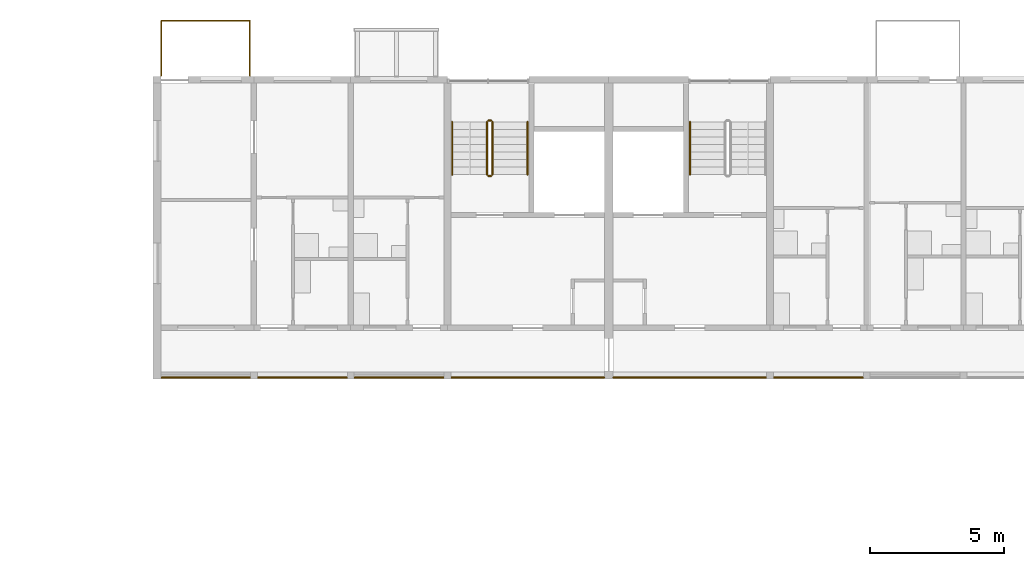
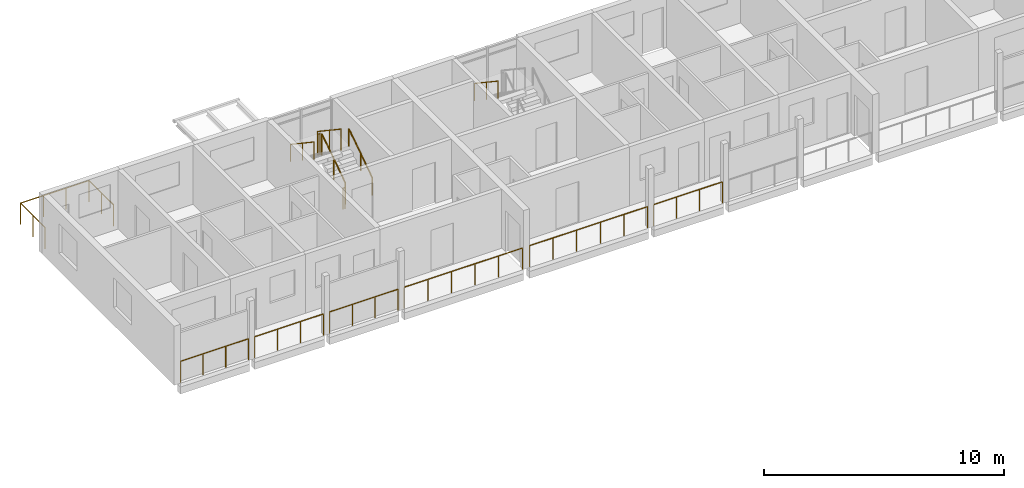
# One storey, part 98 of 115: 14 railings.
"""IFC4 building model written with IfcOpenShell, lengths in metres."""

from ifc_helpers import new_model, si_unit, direction, frame, origin, origin_2d, place, context, subcontext, project, spatial, circle, extrude, material, type_object, element, save


model = new_model("IFC4")

# Units and contexts
model_context = context("Model", 3, precision=1e-05, world=origin(), true_north=direction((0.0, 1.0)))
body_context = subcontext(model_context, "Body", "Model", "MODEL_VIEW")
ifc_project = project(units=[si_unit("LENGTHUNIT", "METRE"), si_unit("AREAUNIT", "SQUARE_METRE"), si_unit("VOLUMEUNIT", "CUBIC_METRE"), si_unit("PLANEANGLEUNIT", "RADIAN"), si_unit("MASSUNIT", "GRAM", prefix="KILO")], contexts=[model_context])

# Site, building, storey
site_placement = place(None, origin())
site = spatial("IfcSite", under=ifc_project, at=site_placement, CompositionType="ELEMENT")
building_placement = place(site_placement, origin())
building = spatial("IfcBuilding", under=site, at=building_placement, Name="Ridgestep Commons", CompositionType="ELEMENT")
storey_placement = place(building_placement, frame((0.0, 0.0, 6.0)))
storey = spatial("IfcBuildingStorey", under=building, at=storey_placement, Name="L02", CompositionType="ELEMENT", Elevation=6.0)

# Railings
ifc_material_1 = material(Name="Structural steel S355JR", Category="steel")
railing_type_1 = type_object("IfcRailingType", Name="Guard 1100", PredefinedType="GUARDRAIL", material=ifc_material_1)
railing_1_placement = place(storey_placement, frame((12.1708984375, 66.050048828125, 0.0)))
element("IfcRailing", 1, at=railing_1_placement, inside=storey, type_object=railing_type_1, Name="Gallery guard B 02.1", PredefinedType="GUARDRAIL", context=body_context, shape_type="SweptSolid", body=[
    extrude(circle(Radius=0.02392578125, at=origin_2d()), frame((0.0, 0.0, 1.076171875), z_axis=(1.0, 0.0, 0.0), x_axis=(0.0, 1.0, 0.0)), (0.0, 0.0, 1.0), 3.283203125),
    extrude(circle(Radius=0.02099609375, at=origin_2d()), origin(), (0.0, 0.0, 1.0), 1.052001953125),
    extrude(circle(Radius=0.02099609375, at=origin_2d()), frame((1.094482421875, 0.0, 0.0)), (0.0, 0.0, 1.0), 1.052001953125),
    extrude(circle(Radius=0.02099609375, at=origin_2d()), frame((2.188720703125, 0.0, 0.0)), (0.0, 0.0, 1.0), 1.052001953125),
    extrude(circle(Radius=0.02099609375, at=origin_2d()), frame((3.283203125, 0.0, 0.0)), (0.0, 0.0, 1.0), 1.052001953125),
])
railing_2_placement = place(storey_placement, frame((15.74609375, 66.050048828125, 0.0)))
element("IfcRailing", 2, at=railing_2_placement, inside=storey, type_object=railing_type_1, Name="Gallery guard B 02.2", PredefinedType="GUARDRAIL", context=body_context, shape_type="SweptSolid", body=[
    extrude(circle(Radius=0.02392578125, at=origin_2d()), frame((0.0, 0.0, 1.076171875), z_axis=(1.0, 0.0, 0.0), x_axis=(0.0, 1.0, 0.0)), (0.0, 0.0, 1.0), 3.307861328125),
    extrude(circle(Radius=0.02099609375, at=origin_2d()), origin(), (0.0, 0.0, 1.0), 1.052001953125),
    extrude(circle(Radius=0.02099609375, at=origin_2d()), frame((1.1025390625, 0.0, 0.0)), (0.0, 0.0, 1.0), 1.052001953125),
    extrude(circle(Radius=0.02099609375, at=origin_2d()), frame((2.205322265625, 0.0, 0.0)), (0.0, 0.0, 1.0), 1.052001953125),
    extrude(circle(Radius=0.02099609375, at=origin_2d()), frame((3.307861328125, 0.0, 0.0)), (0.0, 0.0, 1.0), 1.052001953125),
])
railing_3_placement = place(storey_placement, frame((19.345947265625, 66.050048828125, 0.0)))
element("IfcRailing", 3, at=railing_3_placement, inside=storey, type_object=railing_type_1, Name="Gallery guard B 02.3", PredefinedType="GUARDRAIL", context=body_context, shape_type="SweptSolid", body=[
    extrude(circle(Radius=0.02392578125, at=origin_2d()), frame((0.0, 0.0, 1.076171875), z_axis=(1.0, 0.0, 0.0), x_axis=(0.0, 1.0, 0.0)), (0.0, 0.0, 1.0), 3.30810546875),
    extrude(circle(Radius=0.02099609375, at=origin_2d()), origin(), (0.0, 0.0, 1.0), 1.052001953125),
    extrude(circle(Radius=0.02099609375, at=origin_2d()), frame((1.102783203125, 0.0, 0.0)), (0.0, 0.0, 1.0), 1.052001953125),
    extrude(circle(Radius=0.02099609375, at=origin_2d()), frame((2.205322265625, 0.0, 0.0)), (0.0, 0.0, 1.0), 1.052001953125),
    extrude(circle(Radius=0.02099609375, at=origin_2d()), frame((3.30810546875, 0.0, 0.0)), (0.0, 0.0, 1.0), 1.052001953125),
])
railing_4_placement = place(storey_placement, frame((22.946044921875, 66.050048828125, 0.0)))
element("IfcRailing", 4, at=railing_4_placement, inside=storey, type_object=railing_type_1, Name="Gallery guard B 02.4", PredefinedType="GUARDRAIL", context=body_context, shape_type="SweptSolid", body=[
    extrude(circle(Radius=0.02392578125, at=origin_2d()), frame((0.0, 0.0, 1.076171875), z_axis=(1.0, 0.0, 0.0), x_axis=(0.0, 1.0, 0.0)), (0.0, 0.0, 1.0), 5.682861328125),
    extrude(circle(Radius=0.02099609375, at=origin_2d()), origin(), (0.0, 0.0, 1.0), 1.052001953125),
    extrude(circle(Radius=0.02099609375, at=origin_2d()), frame((1.136474609375, 0.0, 0.0)), (0.0, 0.0, 1.0), 1.052001953125),
    extrude(circle(Radius=0.02099609375, at=origin_2d()), frame((2.273193359375, 0.0, 0.0)), (0.0, 0.0, 1.0), 1.052001953125),
    extrude(circle(Radius=0.02099609375, at=origin_2d()), frame((3.40966796875, 0.0, 0.0)), (0.0, 0.0, 1.0), 1.052001953125),
    extrude(circle(Radius=0.02099609375, at=origin_2d()), frame((4.54638671875, 0.0, 0.0)), (0.0, 0.0, 1.0), 1.052001953125),
    extrude(circle(Radius=0.02099609375, at=origin_2d()), frame((5.682861328125, 0.0, 0.0)), (0.0, 0.0, 1.0), 1.052001953125),
])
railing_5_placement = place(storey_placement, frame((28.970947265625, 66.050048828125, 0.0)))
element("IfcRailing", 5, at=railing_5_placement, inside=storey, type_object=railing_type_1, Name="Gallery guard B 02.5", PredefinedType="GUARDRAIL", context=body_context, shape_type="SweptSolid", body=[
    extrude(circle(Radius=0.02392578125, at=origin_2d()), frame((0.0, 0.0, 1.076171875), z_axis=(1.0, 0.0, 0.0), x_axis=(0.0, 1.0, 0.0)), (0.0, 0.0, 1.0), 5.68310546875),
    extrude(circle(Radius=0.02099609375, at=origin_2d()), origin(), (0.0, 0.0, 1.0), 1.052001953125),
    extrude(circle(Radius=0.02099609375, at=origin_2d()), frame((1.13671875, 0.0, 0.0)), (0.0, 0.0, 1.0), 1.052001953125),
    extrude(circle(Radius=0.02099609375, at=origin_2d()), frame((2.273193359375, 0.0, 0.0)), (0.0, 0.0, 1.0), 1.052001953125),
    extrude(circle(Radius=0.02099609375, at=origin_2d()), frame((3.409912109375, 0.0, 0.0)), (0.0, 0.0, 1.0), 1.052001953125),
    extrude(circle(Radius=0.02099609375, at=origin_2d()), frame((4.54638671875, 0.0, 0.0)), (0.0, 0.0, 1.0), 1.052001953125),
    extrude(circle(Radius=0.02099609375, at=origin_2d()), frame((5.68310546875, 0.0, 0.0)), (0.0, 0.0, 1.0), 1.052001953125),
])
railing_6_placement = place(storey_placement, frame((34.946044921875, 66.050048828125, 0.0)))
element("IfcRailing", 6, at=railing_6_placement, inside=storey, type_object=railing_type_1, Name="Gallery guard B 02.6", PredefinedType="GUARDRAIL", context=body_context, shape_type="SweptSolid", body=[
    extrude(circle(Radius=0.02392578125, at=origin_2d()), frame((0.0, 0.0, 1.076171875), z_axis=(1.0, 0.0, 0.0), x_axis=(0.0, 1.0, 0.0)), (0.0, 0.0, 1.0), 3.307861328125),
    extrude(circle(Radius=0.02099609375, at=origin_2d()), origin(), (0.0, 0.0, 1.0), 1.052001953125),
    extrude(circle(Radius=0.02099609375, at=origin_2d()), frame((1.1025390625, 0.0, 0.0)), (0.0, 0.0, 1.0), 1.052001953125),
    extrude(circle(Radius=0.02099609375, at=origin_2d()), frame((2.205322265625, 0.0, 0.0)), (0.0, 0.0, 1.0), 1.052001953125),
    extrude(circle(Radius=0.02099609375, at=origin_2d()), frame((3.307861328125, 0.0, 0.0)), (0.0, 0.0, 1.0), 1.052001953125),
])
ifc_material_2 = material(Name="Structural steel S355JR", Category="steel")
railing_type_2 = type_object("IfcRailingType", Name="Stair guard 1100", PredefinedType="GUARDRAIL", material=ifc_material_2)
railing_7_placement = place(storey_placement, frame((24.47509765625, 73.60009765625, 0.1875)))
element("IfcRailing", 7, at=railing_7_placement, inside=storey, type_object=railing_type_2, Name="L02 B1C stair guard 1", PredefinedType="GUARDRAIL", context=body_context, shape_type="SweptSolid", body=[
    extrude(circle(Radius=0.02392578125, at=origin_2d()), frame((0.0, 0.0, 1.076171875), z_axis=(0.0, 0.830902050051, 0.556418712142), x_axis=(-1.0, 0.0, 0.0)), (0.0, 0.0, 1.0), 2.35888671875),
    extrude(circle(Radius=0.02099609375, at=origin_2d()), origin(), (0.0, 0.0, 1.0), 1.052001953125),
    extrude(circle(Radius=0.02099609375, at=origin_2d()), frame((0.0, 0.97998046875, 0.65625)), (0.0, 0.0, 1.0), 1.052001953125),
    extrude(circle(Radius=0.02099609375, at=origin_2d()), frame((0.0, 1.9599609375, 1.3125)), (0.0, 0.0, 1.0), 1.052001953125),
])
railing_8_placement = place(storey_placement, frame((24.425048828125, 75.610107421875, 1.5)))
element("IfcRailing", 8, at=railing_8_placement, inside=storey, type_object=railing_type_2, Name="L02 B1C stair guard 2", PredefinedType="GUARDRAIL", context=body_context, shape_type="SweptSolid", body=[
    extrude(circle(Radius=0.02392578125, at=origin_2d()), frame((0.0, 0.0, 1.076171875), z_axis=(-1.0, 0.0, 0.0), x_axis=(0.0, -1.0, 0.0)), (0.0, 0.0, 1.0), 0.10009765625),
    extrude(circle(Radius=0.02099609375, at=origin_2d()), origin(), (0.0, 0.0, 1.0), 1.052001953125),
    extrude(circle(Radius=0.02099609375, at=origin_2d()), frame((-0.10009765625, 0.0, 0.0)), (0.0, 0.0, 1.0), 1.052001953125),
])
railing_9_placement = place(storey_placement, frame((24.27490234375, 75.56005859375, 1.6875)))
element("IfcRailing", 9, at=railing_9_placement, inside=storey, type_object=railing_type_2, Name="L02 B1C stair guard 3", PredefinedType="GUARDRAIL", context=body_context, shape_type="SweptSolid", body=[
    extrude(circle(Radius=0.02392578125, at=origin_2d()), frame((0.0, 0.0, 1.076171875), z_axis=(0.0, -0.830902050051, 0.556418712142), x_axis=(1.0, 0.0, 0.0)), (0.0, 0.0, 1.0), 2.35888671875),
    extrude(circle(Radius=0.02099609375, at=origin_2d()), origin(), (0.0, 0.0, 1.0), 1.052001953125),
    extrude(circle(Radius=0.02099609375, at=origin_2d()), frame((0.0, -0.97998046875, 0.65625)), (0.0, 0.0, 1.0), 1.052001953125),
    extrude(circle(Radius=0.02099609375, at=origin_2d()), frame((0.0, -1.9599609375, 1.3125)), (0.0, 0.0, 1.0), 1.052001953125),
])
railing_10_placement = place(storey_placement, frame((24.425048828125, 73.550048828125, 0.0)))
element("IfcRailing", 10, at=railing_10_placement, inside=storey, type_object=railing_type_2, Name="L02 B1C stair guard 4", PredefinedType="GUARDRAIL", context=body_context, shape_type="SweptSolid", body=[
    extrude(circle(Radius=0.02392578125, at=origin_2d()), frame((0.0, 0.0, 1.076171875), z_axis=(-1.0, 0.0, 0.0), x_axis=(0.0, -1.0, 0.0)), (0.0, 0.0, 1.0), 0.10009765625),
    extrude(circle(Radius=0.02099609375, at=origin_2d()), origin(), (0.0, 0.0, 1.0), 1.052001953125),
    extrude(circle(Radius=0.02099609375, at=origin_2d()), frame((-0.10009765625, 0.0, 0.0)), (0.0, 0.0, 1.0), 1.052001953125),
])
ifc_material_3 = material(Name="Structural steel S355JR", Category="steel")
railing_type_3 = type_object("IfcRailingType", Name="Stair handrail 900", PredefinedType="HANDRAIL", material=ifc_material_3)
railing_11_placement = place(storey_placement, frame((25.77490234375, 73.60009765625, 0.1875)))
element("IfcRailing", 11, at=railing_11_placement, inside=storey, type_object=railing_type_3, Name="L02 B1C stair handrail 1", PredefinedType="HANDRAIL", context=body_context, shape_type="SweptSolid", body=[
    extrude(circle(Radius=0.02392578125, at=origin_2d()), frame((0.0, 0.0, 0.8759765625), z_axis=(0.0, 0.830902050051, 0.556418712142), x_axis=(-1.0, 0.0, 0.0)), (0.0, 0.0, 1.0), 2.35888671875),
    extrude(circle(Radius=0.02099609375, at=origin_2d()), origin(), (0.0, 0.0, 1.0), 0.851806640625),
    extrude(circle(Radius=0.02099609375, at=origin_2d()), frame((0.0, 0.97998046875, 0.65625)), (0.0, 0.0, 1.0), 0.851806640625),
    extrude(circle(Radius=0.02099609375, at=origin_2d()), frame((0.0, 1.9599609375, 1.3125)), (0.0, 0.0, 1.0), 0.851806640625),
])
for number, where, name in (
    (12, (22.97509765625, 75.56005859375, 1.6875), "L02 B1C stair handrail 2"),
    (13, (31.824951171875, 75.56005859375, 1.6875), "L02 B2C stair handrail 2"),
):
    element("IfcRailing", number, at=place(storey_placement, frame(where)), inside=storey, type_object=railing_type_3, Name=name, PredefinedType="HANDRAIL", context=body_context, shape_type="SweptSolid", body=[
        extrude(circle(Radius=0.02392578125, at=origin_2d()), frame((0.0, 0.0, 0.8759765625), z_axis=(0.0, -0.830902050051, 0.556418712142), x_axis=(1.0, 0.0, 0.0)), (0.0, 0.0, 1.0), 2.35888671875),
        extrude(circle(Radius=0.02099609375, at=origin_2d()), origin(), (0.0, 0.0, 1.0), 0.851806640625),
        extrude(circle(Radius=0.02099609375, at=origin_2d()), frame((0.0, -0.97998046875, 0.65625)), (0.0, 0.0, 1.0), 0.851806640625),
        extrude(circle(Radius=0.02099609375, at=origin_2d()), frame((0.0, -1.9599609375, 1.3125)), (0.0, 0.0, 1.0), 0.851806640625),
    ])
ifc_material_4 = material(Name="Weathering steel S355J2W", Category="steel")
railing_type_4 = type_object("IfcRailingType", Name="Tray guard 1100", PredefinedType="GUARDRAIL", material=ifc_material_4)
railing_12_placement = place(storey_placement, frame((12.15087890625, 77.27099609375, 0.0)))
element("IfcRailing", 14, at=railing_12_placement, inside=storey, type_object=railing_type_4, Name="Tray guard B1T1-02", PredefinedType="GUARDRAIL", context=body_context, shape_type="SweptSolid", body=[
    extrude(circle(Radius=0.02392578125, at=origin_2d()), frame((0.0, 0.0, 1.076171875), z_axis=(0.0, 1.0, 0.0), x_axis=(-1.0, 0.0, 0.0)), (0.0, 0.0, 1.0), 2.05810546875),
    extrude(circle(Radius=0.02392578125, at=origin_2d()), frame((0.0, 2.05810546875, 1.076171875), z_axis=(1.0, 0.0, 0.0), x_axis=(0.0, 1.0, 0.0)), (0.0, 0.0, 1.0), 3.298095703125),
    extrude(circle(Radius=0.02392578125, at=origin_2d()), frame((3.298095703125, 2.05810546875, 1.076171875), z_axis=(0.0, -1.0, 0.0), x_axis=(1.0, 0.0, 0.0)), (0.0, 0.0, 1.0), 2.05810546875),
    extrude(circle(Radius=0.02099609375, at=origin_2d()), origin(), (0.0, 0.0, 1.0), 1.052001953125),
    extrude(circle(Radius=0.02099609375, at=origin_2d()), frame((0.0, 1.029052734375, 0.0)), (0.0, 0.0, 1.0), 1.052001953125),
    extrude(circle(Radius=0.02099609375, at=origin_2d()), frame((0.0, 2.05810546875, 0.0)), (0.0, 0.0, 1.0), 1.052001953125),
    extrude(circle(Radius=0.02099609375, at=origin_2d()), frame((1.099365234375, 2.05810546875, 0.0)), (0.0, 0.0, 1.0), 1.052001953125),
    extrude(circle(Radius=0.02099609375, at=origin_2d()), frame((2.19873046875, 2.05810546875, 0.0)), (0.0, 0.0, 1.0), 1.052001953125),
    extrude(circle(Radius=0.02099609375, at=origin_2d()), frame((3.298095703125, 2.05810546875, 0.0)), (0.0, 0.0, 1.0), 1.052001953125),
    extrude(circle(Radius=0.02099609375, at=origin_2d()), frame((3.298095703125, 1.029052734375, 0.0)), (0.0, 0.0, 1.0), 1.052001953125),
    extrude(circle(Radius=0.02099609375, at=origin_2d()), frame((3.298095703125, 0.0, 0.0)), (0.0, 0.0, 1.0), 1.052001953125),
])

save(model, "model.ifc")
